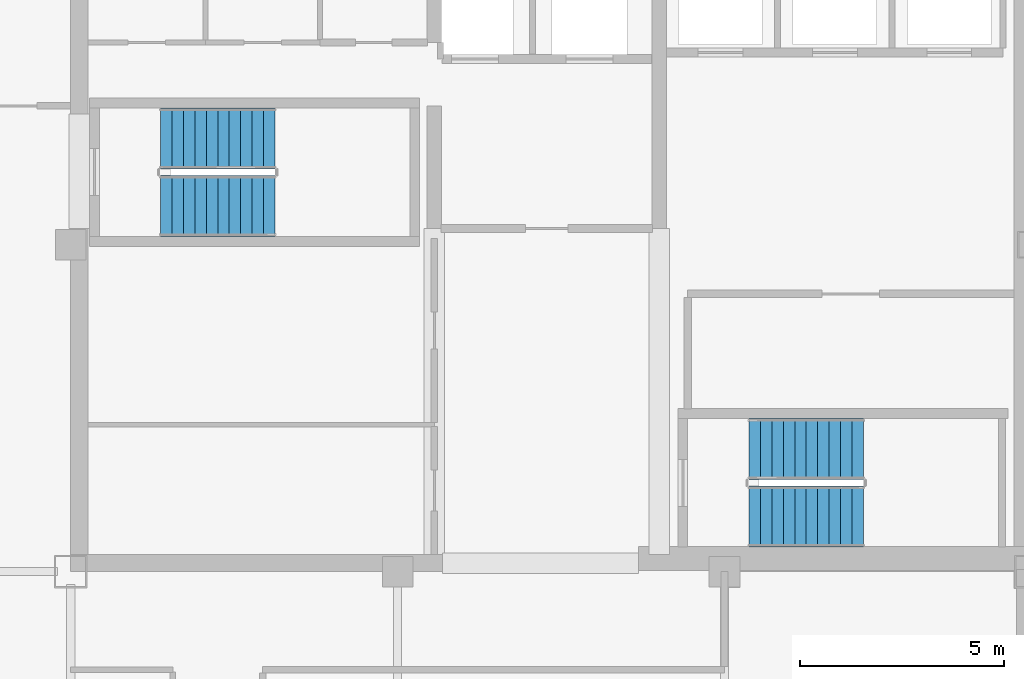
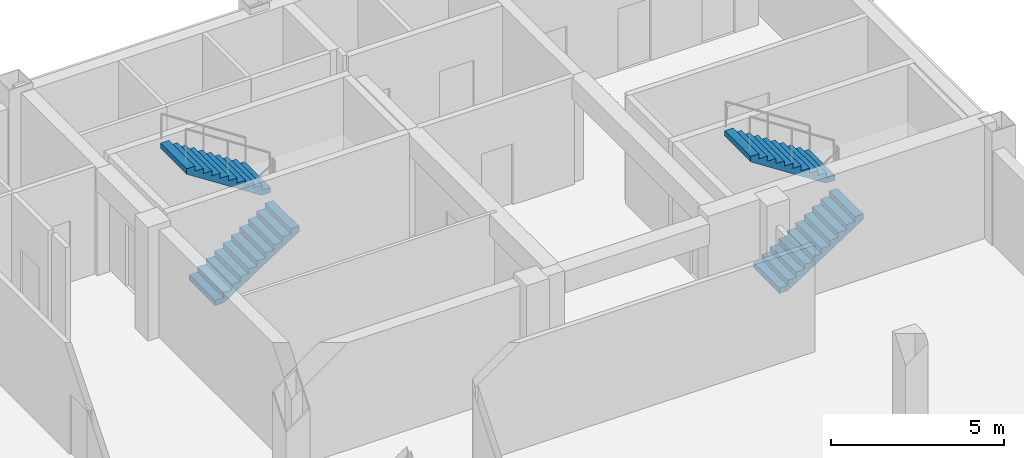
# One storey, part 4 of 6: 4 stair flights, 2 elements without a shape of their own.
"""IFC4 building model written with IfcOpenShell, lengths in metres."""

from ifc_helpers import new_model, si_unit, direction, frame, origin, place, context, subcontext, project, spatial, polyline, outline, extrude, material, type_object, element, aggregate, save


model = new_model("IFC4")

# Units and contexts
model_context = context("Model", 3, precision=1e-05, world=origin(), true_north=direction((0.0, 1.0)))
body_context = subcontext(model_context, "Body", "Model", "MODEL_VIEW")
ifc_project = project(units=[si_unit("LENGTHUNIT", "METRE"), si_unit("AREAUNIT", "SQUARE_METRE"), si_unit("VOLUMEUNIT", "CUBIC_METRE"), si_unit("PLANEANGLEUNIT", "RADIAN"), si_unit("MASSUNIT", "GRAM", prefix="KILO")], contexts=[model_context])

# Site, building, storey
site_placement = place(None, origin())
site = spatial("IfcSite", under=ifc_project, at=site_placement, CompositionType="ELEMENT")
building_placement = place(site_placement, origin())
building = spatial("IfcBuilding", under=site, at=building_placement, Name="Qianrong Seaharbour Tower", CompositionType="ELEMENT")
storey_placement = place(building_placement, frame((0.0, 0.0, 319.199951171875)))
storey = spatial("IfcBuildingStorey", under=building, at=storey_placement, Name="L77", CompositionType="ELEMENT", Elevation=319.199951171875)

# Stair, stair flights
ifc_material = material(Name="Concrete C50/60", Category="concrete")
stair_type = type_object("IfcStairType", Name="STAIR-DOGLEG-1500-R22", PredefinedType="HALF_TURN_STAIR", material=ifc_material)
stair_1_placement = place(storey_placement, origin())
stair_1 = element("IfcStair", 1, at=stair_1_placement, inside=storey, type_object=stair_type, Name="L77 Protected Escape Stair ST-1", PredefinedType="HALF_TURN_STAIR")
stair_flight_type = type_object("IfcStairFlightType", Name="FLIGHT-STR-1500-R22", PredefinedType="STRAIGHT", material=ifc_material)
stair_flight_1_placement = place(storey_placement, frame((42.699951171875, 44.949951171875, 0.0), z_axis=(0.0, 0.0, 1.0), x_axis=(1.0, 0.0, 0.0)))
stair_flight_1 = element("IfcStairFlight", 2, at=stair_flight_1_placement, type_object=stair_flight_type, Name="ST-1 flight 1", NumberOfRisers=11, NumberOfTreads=10, PredefinedType="STRAIGHT", RiserHeight=0.181818182, TreadLength=0.28, context=body_context, shape_type="SweptSolid", body=[
    extrude(outline(polyline([(0.0, 0.0), (0.0, 0.181884765625), (0.280029296875, 0.181884765625), (0.280029296875, 0.363525390625), (0.56005859375, 0.363525390625), (0.56005859375, 0.54541015625), (0.840087890625, 0.54541015625), (0.840087890625, 0.727294921875), (1.1201171875, 0.727294921875), (1.1201171875, 0.9091796875), (1.39990234375, 0.9091796875), (1.39990234375, 1.0908203125), (1.679931640625, 1.0908203125), (1.679931640625, 1.272705078125), (1.9599609375, 1.272705078125), (1.9599609375, 1.45458984375), (2.239990234375, 1.45458984375), (2.239990234375, 1.636474609375), (2.52001953125, 1.636474609375), (2.52001953125, 1.818115234375), (2.800048828125, 1.818115234375), (2.800048828125, 2.0), (2.800048828125, 1.62744140625), (0.293701171875, 0.0), (0.0, 0.0)])), frame((0.0, 0.75, 0.0), z_axis=(0.0, -1.0, 0.0), x_axis=(1.0, 0.0, 0.0)), (0.0, 0.0, 1.0), 1.5),
])
stair_flight_2_placement = place(storey_placement, frame((45.5, 46.60009765625, 2.0), z_axis=(0.0, 0.0, 1.0), x_axis=(-1.0, 0.0, 0.0)))
stair_flight_2 = element("IfcStairFlight", 3, at=stair_flight_2_placement, type_object=stair_flight_type, Name="ST-1 flight 2", NumberOfRisers=11, NumberOfTreads=10, PredefinedType="STRAIGHT", RiserHeight=0.181818182, TreadLength=0.28, context=body_context, shape_type="SweptSolid", body=[
    extrude(outline(polyline([(0.0, 0.0), (0.0, 0.181884765625), (0.280029296875, 0.181884765625), (0.280029296875, 0.363525390625), (0.56005859375, 0.363525390625), (0.56005859375, 0.54541015625), (0.840087890625, 0.54541015625), (0.840087890625, 0.727294921875), (1.1201171875, 0.727294921875), (1.1201171875, 0.9091796875), (1.39990234375, 0.9091796875), (1.39990234375, 1.0908203125), (1.679931640625, 1.0908203125), (1.679931640625, 1.272705078125), (1.9599609375, 1.272705078125), (1.9599609375, 1.45458984375), (2.239990234375, 1.45458984375), (2.239990234375, 1.636474609375), (2.52001953125, 1.636474609375), (2.52001953125, 1.818115234375), (2.800048828125, 1.818115234375), (2.800048828125, 2.0), (2.800048828125, 1.62744140625), (0.293701171875, 0.0), (0.0, 0.0)])), frame((0.0, 0.75, 0.0), z_axis=(0.0, -1.0, 0.0), x_axis=(1.0, 0.0, 0.0)), (0.0, 0.0, 1.0), 1.5),
])
aggregate(stair_1, [stair_flight_1, stair_flight_2])

stair_2_placement = place(storey_placement, origin())
stair_2 = element("IfcStair", 4, at=stair_2_placement, inside=storey, type_object=stair_type, Name="L77 Protected Escape Stair ST-2", PredefinedType="HALF_TURN_STAIR")
stair_flight_3_placement = place(storey_placement, frame((57.10009765625, 37.35009765625, 0.0), z_axis=(0.0, 0.0, 1.0), x_axis=(1.0, 0.0, 0.0)))
stair_flight_3 = element("IfcStairFlight", 5, at=stair_flight_3_placement, type_object=stair_flight_type, Name="ST-2 flight 1", NumberOfRisers=11, NumberOfTreads=10, PredefinedType="STRAIGHT", RiserHeight=0.181818182, TreadLength=0.28, context=body_context, shape_type="SweptSolid", body=[
    extrude(outline(polyline([(0.0, 0.0), (0.0, 0.181884765625), (0.280029296875, 0.181884765625), (0.280029296875, 0.363525390625), (0.56005859375, 0.363525390625), (0.56005859375, 0.54541015625), (0.840087890625, 0.54541015625), (0.840087890625, 0.727294921875), (1.1201171875, 0.727294921875), (1.1201171875, 0.9091796875), (1.39990234375, 0.9091796875), (1.39990234375, 1.0908203125), (1.679931640625, 1.0908203125), (1.679931640625, 1.272705078125), (1.9599609375, 1.272705078125), (1.9599609375, 1.45458984375), (2.239990234375, 1.45458984375), (2.239990234375, 1.636474609375), (2.52001953125, 1.636474609375), (2.52001953125, 1.818115234375), (2.800048828125, 1.818115234375), (2.800048828125, 2.0), (2.800048828125, 1.62744140625), (0.293701171875, 0.0), (0.0, 0.0)])), frame((0.0, 0.75, 0.0), z_axis=(0.0, -1.0, 0.0), x_axis=(1.0, 0.0, 0.0)), (0.0, 0.0, 1.0), 1.5),
])
stair_flight_4_placement = place(storey_placement, frame((59.89990234375, 39.0, 2.0), z_axis=(0.0, 0.0, 1.0), x_axis=(-1.0, 0.0, 0.0)))
stair_flight_4 = element("IfcStairFlight", 6, at=stair_flight_4_placement, type_object=stair_flight_type, Name="ST-2 flight 2", NumberOfRisers=11, NumberOfTreads=10, PredefinedType="STRAIGHT", RiserHeight=0.181818182, TreadLength=0.28, context=body_context, shape_type="SweptSolid", body=[
    extrude(outline(polyline([(0.0, 0.0), (0.0, 0.181884765625), (0.280029296875, 0.181884765625), (0.280029296875, 0.363525390625), (0.56005859375, 0.363525390625), (0.56005859375, 0.54541015625), (0.840087890625, 0.54541015625), (0.840087890625, 0.727294921875), (1.1201171875, 0.727294921875), (1.1201171875, 0.9091796875), (1.39990234375, 0.9091796875), (1.39990234375, 1.0908203125), (1.679931640625, 1.0908203125), (1.679931640625, 1.272705078125), (1.9599609375, 1.272705078125), (1.9599609375, 1.45458984375), (2.239990234375, 1.45458984375), (2.239990234375, 1.636474609375), (2.52001953125, 1.636474609375), (2.52001953125, 1.818115234375), (2.800048828125, 1.818115234375), (2.800048828125, 2.0), (2.800048828125, 1.62744140625), (0.293701171875, 0.0), (0.0, 0.0)])), frame((0.0, 0.75, 0.0), z_axis=(0.0, -1.0, 0.0), x_axis=(1.0, 0.0, 0.0)), (0.0, 0.0, 1.0), 1.5),
])
aggregate(stair_2, [stair_flight_3, stair_flight_4])

save(model, "model.ifc")
